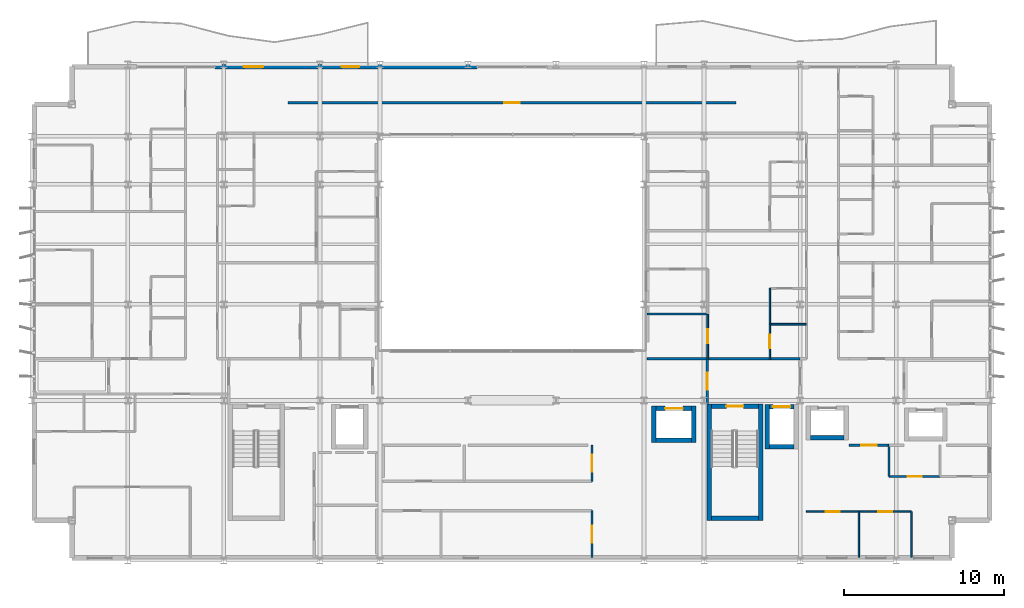
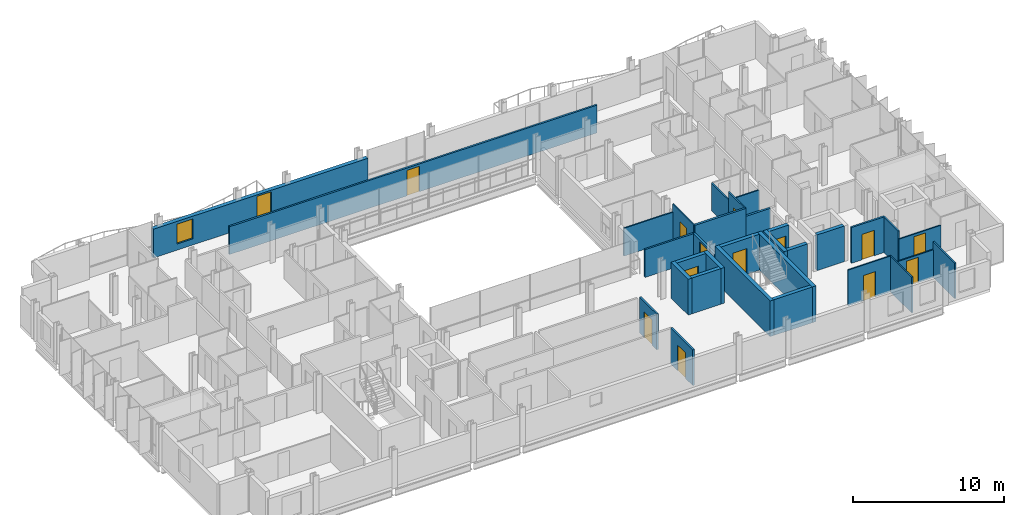
# One storey, part 30 of 38: 32 walls, 14 doors, 1 window, 15 openings.
"""IFC4 building model written with IfcOpenShell, lengths in metres."""

from ifc_helpers import new_model, si_unit, direction, frame, frame_2d, origin, place, context, subcontext, project, spatial, rectangle, extrude, material, layer, layer_set, type_object, element, fill, save


model = new_model("IFC4")

# Units and contexts
model_context = context("Model", 3, precision=1e-05, world=origin(), true_north=direction((0.0, 1.0)))
body_context = subcontext(model_context, "Body", "Model", "MODEL_VIEW")
ifc_project = project(units=[si_unit("LENGTHUNIT", "METRE"), si_unit("AREAUNIT", "SQUARE_METRE"), si_unit("VOLUMEUNIT", "CUBIC_METRE"), si_unit("PLANEANGLEUNIT", "RADIAN"), si_unit("MASSUNIT", "GRAM", prefix="KILO")], contexts=[model_context])

# Site, building, storey
site_placement = place(None, origin())
site = spatial("IfcSite", under=ifc_project, at=site_placement, CompositionType="ELEMENT")
building_placement = place(site_placement, origin())
building = spatial("IfcBuilding", under=site, at=building_placement, Name="Brevholm Reach", CompositionType="ELEMENT")
storey_placement = place(building_placement, frame((0.0, 0.0, 122.10009765625)))
storey = spatial("IfcBuildingStorey", under=building, at=storey_placement, Name="L36", CompositionType="ELEMENT", Elevation=122.10009765625)

# Walls
ifc_material_1 = material(Name="Concrete C50/60", Category="concrete")
ifc_layer_1 = layer(ifc_material_1, 0.280029296875)
ifc_layer_set_1 = layer_set([ifc_layer_1], Name="Concrete C50/60")
wall_type_1 = type_object("IfcWallType", Name="WAL-COR-280", PredefinedType="SHEAR", material=ifc_layer_set_1)
for number, where, z_axis, x_axis, name in (
    (1, (42.31005859375, 2.5, 0.0), (0.0, 0.0, 1.0), (0.0, 1.0, 0.0), "L36 Escape Stair ST-2 Core Wall W"),
    (2, (45.5400390625, 2.5, 0.0), (0.0, 0.0, 1.0), (0.0, 1.0, 0.0), "L36 Escape Stair ST-2 Core Wall E"),
):
    element("IfcWall", number, at=place(storey_placement, frame(where, z_axis=z_axis, x_axis=x_axis)), inside=storey, type_object=wall_type_1, Name=name, PredefinedType="SHEAR", context=body_context, shape_type="SweptSolid", body=[
        extrude(rectangle(XDim=7.280029296875, YDim=0.280029296875, at=frame_2d((3.64013671875, 0.0))), origin(), (0.0, 0.0, 1.0), 2.8798828125),
    ])
wall_1_placement = place(storey_placement, frame((42.449951171875, 2.639892578125, 0.0), z_axis=(0.0, 0.0, 1.0), x_axis=(1.0, 0.0, 0.0)))
element("IfcWall", 3, at=wall_1_placement, inside=storey, type_object=wall_type_1, Name="L36 Escape Stair ST-2 Core Wall S", PredefinedType="SHEAR", context=body_context, shape_type="SweptSolid", body=[
    extrude(rectangle(XDim=2.949951171875, YDim=0.280029296875, at=frame_2d((1.47509765625, 0.0))), origin(), (0.0, 0.0, 1.0), 2.8798828125),
])

# Wall, opening, door
wall_2_placement = place(storey_placement, frame((45.39990234375, 9.639892578125, 0.0), z_axis=(0.0, 0.0, 1.0), x_axis=(-1.0, 0.0, 0.0)))
wall_2 = element("IfcWall", 4, at=wall_2_placement, inside=storey, type_object=wall_type_1, Name="L36 Escape Stair ST-2 Core Wall N", PredefinedType="SHEAR", context=body_context, shape_type="SweptSolid", body=[
    extrude(rectangle(XDim=2.949951171875, YDim=0.280029296875, at=frame_2d((1.47509765625, 0.0))), origin(), (0.0, 0.0, 1.0), 2.8798828125),
])
opening_1_placement = place(wall_2_placement, frame((0.949951171875, 0.0, 0.0)))
opening_1 = element("IfcOpeningElement", 5, at=opening_1_placement, cuts=wall_2, Name="Opening SD-ST-2", PredefinedType="OPENING", context=body_context, shape_type="SweptSolid", body=[
    extrude(rectangle(XDim=1.050048828125, YDim=2.06005859375, at=frame_2d((0.52490234375, 1.030029296875))), frame((0.0, 0.14990234375, 0.0), z_axis=(0.0, -1.0, 0.0), x_axis=(1.0, 0.0, 0.0)), (0.0, 0.0, 1.0), 0.300048828125),
])
ifc_material_2 = material(Name="Hardwood-Lipped Steel-Core Fire and Smoke Door", Category="steel")
door_type_1 = type_object("IfcDoorType", Name="DOR-INT-FD60S", OperationType="NOTDEFINED", PredefinedType="DOOR", material=ifc_material_2)
door_1_placement = place(opening_1_placement, origin())
door_1 = element("IfcDoor", 6, at=door_1_placement, inside=storey, type_object=door_type_1, Name="L36 Protected Stair ST-2 Lobby Door", OperationType="SINGLE_SWING_LEFT", OverallHeight=2.06005859375, OverallWidth=1.050048828125, PredefinedType="DOOR", context=body_context, shape_type="SweptSolid", body=[
    extrude(rectangle(XDim=1.050048828125, YDim=2.06005859375, at=frame_2d((0.52490234375, 1.030029296875))), frame((0.0, 0.02490234375, 0.0), z_axis=(0.0, -1.0, 0.0), x_axis=(1.0, 0.0, 0.0)), (0.0, 0.0, 1.0), 0.050048828125),
])
fill(opening_1, door_1)

# Walls
wall_3_placement = place(storey_placement, frame((45.949951171875, 6.9599609375, 0.0), z_axis=(0.0, 0.0, 1.0), x_axis=(0.0, 1.0, 0.0)))
element("IfcWall", 7, at=wall_3_placement, inside=storey, type_object=wall_type_1, Name="L36 Lift FFL-2 Shaft Wall W", PredefinedType="SHEAR", context=body_context, shape_type="SweptSolid", body=[
    extrude(rectangle(XDim=2.780029296875, YDim=0.280029296875, at=frame_2d((1.39013671875, 0.0))), origin(), (0.0, 0.0, 1.0), 2.8798828125),
])
wall_4_placement = place(storey_placement, frame((46.090087890625, 7.10009765625, 0.0), z_axis=(0.0, 0.0, 1.0), x_axis=(1.0, 0.0, 0.0)))
element("IfcWall", 8, at=wall_4_placement, inside=storey, type_object=wall_type_1, Name="L36 Lift FFL-2 Shaft Wall S", PredefinedType="SHEAR", context=body_context, shape_type="SweptSolid", body=[
    extrude(rectangle(XDim=1.52001953125, YDim=0.280029296875, at=frame_2d((0.760009765625, 0.0))), origin(), (0.0, 0.0, 1.0), 2.8798828125),
])

# Wall, opening, door
wall_5_placement = place(storey_placement, frame((46.090087890625, 9.60009765625, 0.0), z_axis=(0.0, 0.0, 1.0), x_axis=(1.0, 0.0, 0.0)))
wall_5 = element("IfcWall", 9, at=wall_5_placement, inside=storey, type_object=wall_type_1, Name="L36 Lift FFL-2 Shaft Wall N", PredefinedType="SHEAR", context=body_context, shape_type="SweptSolid", body=[
    extrude(rectangle(XDim=1.52001953125, YDim=0.280029296875, at=frame_2d((0.760009765625, 0.0))), origin(), (0.0, 0.0, 1.0), 2.8798828125),
])
opening_2_placement = place(wall_5_placement, frame((0.2099609375, 0.0, 0.0)))
opening_2 = element("IfcOpeningElement", 10, at=opening_2_placement, cuts=wall_5, Name="Opening LD-FFL-2", PredefinedType="OPENING", context=body_context, shape_type="SweptSolid", body=[
    extrude(rectangle(XDim=1.10009765625, YDim=2.06005859375, at=frame_2d((0.550048828125, 1.030029296875))), frame((0.0, 0.14990234375, 0.0), z_axis=(0.0, -1.0, 0.0), x_axis=(1.0, 0.0, 0.0)), (0.0, 0.0, 1.0), 0.300048828125),
])
ifc_material_3 = material(Name="Brushed Stainless Steel Fire-Rated Sliding Lift Door", Category="steel")
door_type_2 = type_object("IfcDoorType", Name="DOR-LFT-1100", OperationType="NOTDEFINED", PredefinedType="DOOR", material=ifc_material_3)
door_2_placement = place(opening_2_placement, origin())
door_2 = element("IfcDoor", 11, at=door_2_placement, inside=storey, type_object=door_type_2, Name="L36 Lift FFL-2 Sliding Landing Door", OperationType="SLIDING_TO_LEFT", OverallHeight=2.06005859375, OverallWidth=1.10009765625, PredefinedType="DOOR", context=body_context, shape_type="SweptSolid", body=[
    extrude(rectangle(XDim=1.10009765625, YDim=2.06005859375, at=frame_2d((0.550048828125, 1.030029296875))), frame((0.0, 0.02490234375, 0.0), z_axis=(0.0, -1.0, 0.0), x_axis=(1.0, 0.0, 0.0)), (0.0, 0.0, 1.0), 0.050048828125),
])
fill(opening_2, door_2)

# Walls
wall_6_placement = place(storey_placement, frame((48.6650390625, 7.675048828125, 0.0), z_axis=(0.0, 0.0, 1.0), x_axis=(1.0, 0.0, 0.0)))
element("IfcWall", 12, at=wall_6_placement, inside=storey, type_object=wall_type_1, Name="L36 Lift PL-L1 Shaft Wall S", PredefinedType="SHEAR", context=body_context, shape_type="SweptSolid", body=[
    extrude(rectangle(XDim=2.070068359375, YDim=0.280029296875, at=frame_2d((1.03515625, 0.0))), origin(), (0.0, 0.0, 1.0), 2.8798828125),
])
for number, where, z_axis, x_axis, name in (
    (13, (38.8701171875, 7.360107421875, 0.0), (0.0, 0.0, 1.0), (0.0, 1.0, 0.0), "L36 Lift PL-S1 Shaft Wall W"),
    (14, (41.3701171875, 7.360107421875, 0.0), (0.0, 0.0, 1.0), (0.0, 1.0, 0.0), "L36 Lift PL-S1 Shaft Wall E"),
):
    element("IfcWall", number, at=place(storey_placement, frame(where, z_axis=z_axis, x_axis=x_axis)), inside=storey, type_object=wall_type_1, Name=name, PredefinedType="SHEAR", context=body_context, shape_type="SweptSolid", body=[
        extrude(rectangle(XDim=2.27978515625, YDim=0.280029296875, at=frame_2d((1.139892578125, 0.0))), origin(), (0.0, 0.0, 1.0), 2.8798828125),
    ])
wall_7_placement = place(storey_placement, frame((39.010009765625, 7.5, 0.0), z_axis=(0.0, 0.0, 1.0), x_axis=(1.0, 0.0, 0.0)))
element("IfcWall", 15, at=wall_7_placement, inside=storey, type_object=wall_type_1, Name="L36 Lift PL-S1 Shaft Wall S", PredefinedType="SHEAR", context=body_context, shape_type="SweptSolid", body=[
    extrude(rectangle(XDim=2.219970703125, YDim=0.280029296875, at=frame_2d((1.10986328125, 0.0))), origin(), (0.0, 0.0, 1.0), 2.8798828125),
])

# Wall, opening, door
wall_8_placement = place(storey_placement, frame((39.010009765625, 9.5, 0.0), z_axis=(0.0, 0.0, 1.0), x_axis=(1.0, 0.0, 0.0)))
wall_8 = element("IfcWall", 16, at=wall_8_placement, inside=storey, type_object=wall_type_1, Name="L36 Lift PL-S1 Shaft Wall N", PredefinedType="SHEAR", context=body_context, shape_type="SweptSolid", body=[
    extrude(rectangle(XDim=2.219970703125, YDim=0.280029296875, at=frame_2d((1.10986328125, 0.0))), origin(), (0.0, 0.0, 1.0), 2.8798828125),
])
opening_3_placement = place(wall_8_placement, frame((0.56005859375, 0.0, 0.0)))
opening_3 = element("IfcOpeningElement", 17, at=opening_3_placement, cuts=wall_8, Name="Opening LD-PL-S1", PredefinedType="OPENING", context=body_context, shape_type="SweptSolid", body=[
    extrude(rectangle(XDim=1.10009765625, YDim=2.06005859375, at=frame_2d((0.550048828125, 1.030029296875))), frame((0.0, 0.14990234375, 0.0), z_axis=(0.0, -1.0, 0.0), x_axis=(1.0, 0.0, 0.0)), (0.0, 0.0, 1.0), 0.300048828125),
])
door_3_placement = place(opening_3_placement, origin())
door_3 = element("IfcDoor", 18, at=door_3_placement, inside=storey, type_object=door_type_2, Name="L36 Lift PL-S1 Sliding Landing Door", OperationType="SLIDING_TO_RIGHT", OverallHeight=2.06005859375, OverallWidth=1.10009765625, PredefinedType="DOOR", context=body_context, shape_type="SweptSolid", body=[
    extrude(rectangle(XDim=1.10009765625, YDim=2.06005859375, at=frame_2d((0.550048828125, 1.030029296875))), frame((0.0, 0.02490234375, 0.0), z_axis=(0.0, -1.0, 0.0), x_axis=(1.0, 0.0, 0.0)), (0.0, 0.0, 1.0), 0.050048828125),
])
fill(opening_3, door_3)

# Wall, openings, door, window
ifc_material_4 = material(Name="Concrete C40/50", Category="concrete")
ifc_layer_2 = layer(ifc_material_4, 0.300048828125)
ifc_layer_set_2 = layer_set([ifc_layer_2], Name="Concrete C40/50")
wall_type_2 = type_object("IfcWallType", Name="WAL-EXT-300", PredefinedType="STANDARD", material=ifc_layer_set_2)
wall_9_placement = place(storey_placement, frame((11.449951171875, 30.85009765625, 0.0), z_axis=(0.0, 0.0, 1.0), x_axis=(1.0, 0.0, 0.0)))
wall_9 = element("IfcWall", 19, at=wall_9_placement, inside=storey, type_object=wall_type_2, Name="L36 Facade Wall WAL-L36-NP-WL", PredefinedType="STANDARD", context=body_context, shape_type="SweptSolid", body=[
    extrude(rectangle(XDim=16.35009765625, YDim=0.300048828125, at=frame_2d((8.175048828125, 0.0))), origin(), (0.0, 0.0, 1.0), 2.32177734375),
])
opening_4_placement = place(wall_9_placement, frame((7.89794921875, 0.0, 0.0)))
opening_4 = element("IfcOpeningElement", 20, at=opening_4_placement, cuts=wall_9, Name="Opening BD-01", PredefinedType="OPENING", context=body_context, shape_type="SweptSolid", body=[
    extrude(rectangle(XDim=1.10009765625, YDim=2.199951171875, at=frame_2d((0.550048828125, 1.10009765625))), frame((0.0, 0.159912109375, 0.0), z_axis=(0.0, -1.0, 0.0), x_axis=(1.0, 0.0, 0.0)), (0.0, 0.0, 1.0), 0.320068359375),
])
opening_5_placement = place(wall_9_placement, frame((1.800048828125, 0.0, 0.501953125)))
opening_5 = element("IfcOpeningElement", 21, at=opening_5_placement, cuts=wall_9, Name="Opening WN-08", PredefinedType="OPENING", context=body_context, shape_type="SweptSolid", body=[
    extrude(rectangle(XDim=1.199951171875, YDim=1.60009765625, at=frame_2d((0.60009765625, 0.800048828125))), frame((0.0, 0.159912109375, 0.0), z_axis=(0.0, -1.0, 0.0), x_axis=(1.0, 0.0, 0.0)), (0.0, 0.0, 1.0), 0.320068359375),
])
ifc_material_5 = material(Name="Dark Anodised Aluminium and Triple-Glazed Glass", Category="aluminium")
door_type_3 = type_object("IfcDoorType", Name="DOR-BALC-1100", OperationType="NOTDEFINED", PredefinedType="DOOR", material=ifc_material_5)
door_4_placement = place(opening_4_placement, origin())
door_4 = element("IfcDoor", 22, at=door_4_placement, inside=storey, type_object=door_type_3, Name="L36 Exterior Door DOR-L36-BL-NW", OperationType="SINGLE_SWING_LEFT", OverallHeight=2.199951171875, OverallWidth=1.10009765625, PredefinedType="DOOR", context=body_context, shape_type="SweptSolid", body=[
    extrude(rectangle(XDim=1.10009765625, YDim=2.199951171875, at=frame_2d((0.550048828125, 1.10009765625))), frame((0.0, 0.02490234375, 0.0), z_axis=(0.0, -1.0, 0.0), x_axis=(1.0, 0.0, 0.0)), (0.0, 0.0, 1.0), 0.050048828125),
])
fill(opening_4, door_4)
ifc_material_6 = material(Name="Dark Anodised Aluminium and Solar-Control IGU Glass", Category="aluminium")
window_type = type_object("IfcWindowType", Name="WIN-RES-1200", PartitioningType="SINGLE_PANEL", PredefinedType="WINDOW", material=ifc_material_6)
window_placement = place(opening_5_placement, origin())
window = element("IfcWindow", 23, at=window_placement, inside=storey, type_object=window_type, Name="L36 Window WIN-L36-NP-WL1", OverallHeight=1.60009765625, OverallWidth=1.199951171875, PartitioningType="SINGLE_PANEL", PredefinedType="WINDOW", context=body_context, shape_type="SweptSolid", body=[
    extrude(rectangle(XDim=1.199951171875, YDim=1.60009765625, at=frame_2d((0.60009765625, 0.800048828125))), frame((0.0, 0.030029296875, 0.0), z_axis=(0.0, -1.0, 0.0), x_axis=(1.0, 0.0, 0.0)), (0.0, 0.0, 1.0), 0.06005859375),
])
fill(opening_5, window)

# Wall, opening, door
ifc_material_7 = material(Name="Moisture-Resistant Acoustic Gypsum Stud Partition 100 mm", Category="gypsum")
ifc_layer_3 = layer(ifc_material_7, 0.10009765625)
ifc_layer_set_3 = layer_set([ifc_layer_3], Name="Moisture-Resistant Acoustic Gypsum Stud Partition 100 mm")
wall_type_3 = type_object("IfcWallType", Name="WAL-PRT-100", PredefinedType="PARTITIONING", material=ifc_layer_set_3)
wall_10_placement = place(storey_placement, frame((53.55810546875, 5.25, 0.0), z_axis=(0.0, 0.0, 1.0), x_axis=(1.0, 0.0, 0.0)))
wall_10 = element("IfcWall", 24, at=wall_10_placement, inside=storey, type_object=wall_type_3, Name="L36 Internal Partition 082", PredefinedType="PARTITIONING", context=body_context, shape_type="SweptSolid", body=[
    extrude(rectangle(XDim=3.18798828125, YDim=0.10009765625, at=frame_2d((1.593994140625, 0.0))), origin(), (0.0, 0.0, 1.0), 2.24267578125),
])
opening_6_placement = place(wall_10_placement, frame((1.154052734375, 0.0, 0.0)))
opening_6 = element("IfcOpeningElement", 25, at=opening_6_placement, cuts=wall_10, Name="Opening ID-01", PredefinedType="OPENING", context=body_context, shape_type="SweptSolid", body=[
    extrude(rectangle(XDim=0.8798828125, YDim=2.0400390625, at=frame_2d((0.43994140625, 1.02001953125))), frame((0.0, 0.06005859375, 0.0), z_axis=(0.0, -1.0, 0.0), x_axis=(1.0, 0.0, 0.0)), (0.0, 0.0, 1.0), 0.1201171875),
])
ifc_material_8 = material(Name="Lacquered Ash Solid-Core Acoustic Internal Door", Category="timber")
door_type_4 = type_object("IfcDoorType", Name="DOR-INT-880", OperationType="NOTDEFINED", PredefinedType="DOOR", material=ifc_material_8)
door_5_placement = place(opening_6_placement, origin())
door_5 = element("IfcDoor", 26, at=door_5_placement, inside=storey, type_object=door_type_4, Name="L36 Internal Door 030", OperationType="SINGLE_SWING_RIGHT", OverallHeight=2.0400390625, OverallWidth=0.8798828125, PredefinedType="DOOR", context=body_context, shape_type="SweptSolid", body=[
    extrude(rectangle(XDim=0.8798828125, YDim=2.0400390625, at=frame_2d((0.43994140625, 1.02001953125))), frame((0.0, 0.02490234375, 0.0), z_axis=(0.0, -1.0, 0.0), x_axis=(1.0, 0.0, 0.0)), (0.0, 0.0, 1.0), 0.050048828125),
])
fill(opening_6, door_5)

# Walls
wall_11_placement = place(storey_placement, frame((53.55810546875, 5.25, 0.0), z_axis=(0.0, 0.0, 1.0), x_axis=(0.0, 1.0, 0.0)))
element("IfcWall", 27, at=wall_11_placement, inside=storey, type_object=wall_type_3, Name="L36 Internal Partition 083", PredefinedType="PARTITIONING", context=body_context, shape_type="SweptSolid", body=[
    extrude(rectangle(XDim=1.946044921875, YDim=0.10009765625, at=frame_2d((0.97314453125, 0.0))), origin(), (0.0, 0.0, 1.0), 2.8798828125),
])
wall_12_placement = place(storey_placement, frame((51.675048828125, 0.199951171875, 0.0), z_axis=(0.0, 0.0, 1.0), x_axis=(0.0, 1.0, 0.0)))
element("IfcWall", 28, at=wall_12_placement, inside=storey, type_object=wall_type_3, Name="L36 Internal Partition 084", PredefinedType="PARTITIONING", context=body_context, shape_type="SweptSolid", body=[
    extrude(rectangle(XDim=2.85009765625, YDim=0.10009765625, at=frame_2d((1.425048828125, 0.0))), origin(), (0.0, 0.0, 1.0), 2.8798828125),
])

# Wall, opening, door
wall_13_placement = place(storey_placement, frame((48.39990234375, 3.050048828125, 0.0), z_axis=(0.0, 0.0, 1.0), x_axis=(1.0, 0.0, 0.0)))
wall_13 = element("IfcWall", 29, at=wall_13_placement, inside=storey, type_object=wall_type_3, Name="L36 Internal Partition 085", PredefinedType="PARTITIONING", context=body_context, shape_type="SweptSolid", body=[
    extrude(rectangle(XDim=3.275146484375, YDim=0.10009765625, at=frame_2d((1.6376953125, 0.0))), origin(), (0.0, 0.0, 1.0), 2.8798828125),
])
opening_7_placement = place(wall_13_placement, frame((1.197509765625, 0.0, 0.0)))
opening_7 = element("IfcOpeningElement", 30, at=opening_7_placement, cuts=wall_13, Name="Opening ID-01", PredefinedType="OPENING", context=body_context, shape_type="SweptSolid", body=[
    extrude(rectangle(XDim=0.8798828125, YDim=2.0400390625, at=frame_2d((0.43994140625, 1.02001953125))), frame((0.0, 0.06005859375, 0.0), z_axis=(0.0, -1.0, 0.0), x_axis=(1.0, 0.0, 0.0)), (0.0, 0.0, 1.0), 0.1201171875),
])
door_6_placement = place(opening_7_placement, origin())
door_6 = element("IfcDoor", 31, at=door_6_placement, inside=storey, type_object=door_type_4, Name="L36 Internal Door 031", OperationType="SINGLE_SWING_LEFT", OverallHeight=2.0400390625, OverallWidth=0.8798828125, PredefinedType="DOOR", context=body_context, shape_type="SweptSolid", body=[
    extrude(rectangle(XDim=0.8798828125, YDim=2.0400390625, at=frame_2d((0.43994140625, 1.02001953125))), frame((0.0, 0.02490234375, 0.0), z_axis=(0.0, -1.0, 0.0), x_axis=(1.0, 0.0, 0.0)), (0.0, 0.0, 1.0), 0.050048828125),
])
fill(opening_7, door_6)

# Wall
wall_14_placement = place(storey_placement, frame((54.949951171875, 0.199951171875, 0.0), z_axis=(0.0, 0.0, 1.0), x_axis=(0.0, 1.0, 0.0)))
element("IfcWall", 32, at=wall_14_placement, inside=storey, type_object=wall_type_3, Name="L36 Internal Partition 086", PredefinedType="PARTITIONING", context=body_context, shape_type="SweptSolid", body=[
    extrude(rectangle(XDim=2.85009765625, YDim=0.10009765625, at=frame_2d((1.425048828125, 0.0))), origin(), (0.0, 0.0, 1.0), 2.8798828125),
])

# Wall, opening, door
wall_15_placement = place(storey_placement, frame((51.678955078125, 3.050048828125, 0.0), z_axis=(0.0, 0.0, 1.0), x_axis=(1.0, 0.0, 0.0)))
wall_15 = element("IfcWall", 33, at=wall_15_placement, inside=storey, type_object=wall_type_3, Name="L36 Internal Partition 087", PredefinedType="PARTITIONING", context=body_context, shape_type="SweptSolid", body=[
    extrude(rectangle(XDim=3.27099609375, YDim=0.10009765625, at=frame_2d((1.635498046875, 0.0))), origin(), (0.0, 0.0, 1.0), 2.24267578125),
])
opening_8_placement = place(wall_15_placement, frame((1.195556640625, 0.0, 0.0)))
opening_8 = element("IfcOpeningElement", 34, at=opening_8_placement, cuts=wall_15, Name="Opening ID-01", PredefinedType="OPENING", context=body_context, shape_type="SweptSolid", body=[
    extrude(rectangle(XDim=0.8798828125, YDim=2.0400390625, at=frame_2d((0.43994140625, 1.02001953125))), frame((0.0, 0.06005859375, 0.0), z_axis=(0.0, -1.0, 0.0), x_axis=(1.0, 0.0, 0.0)), (0.0, 0.0, 1.0), 0.1201171875),
])
door_7_placement = place(opening_8_placement, origin())
door_7 = element("IfcDoor", 35, at=door_7_placement, inside=storey, type_object=door_type_4, Name="L36 Internal Door 032", OperationType="SINGLE_SWING_RIGHT", OverallHeight=2.0400390625, OverallWidth=0.8798828125, PredefinedType="DOOR", context=body_context, shape_type="SweptSolid", body=[
    extrude(rectangle(XDim=0.8798828125, YDim=2.0400390625, at=frame_2d((0.43994140625, 1.02001953125))), frame((0.0, 0.02490234375, 0.0), z_axis=(0.0, -1.0, 0.0), x_axis=(1.0, 0.0, 0.0)), (0.0, 0.0, 1.0), 0.050048828125),
])
fill(opening_8, door_7)

# Wall
wall_16_placement = place(storey_placement, frame((46.112060546875, 14.760009765625, 0.0), z_axis=(0.0, 0.0, 1.0), x_axis=(1.0, 0.0, 0.0)))
element("IfcWall", 36, at=wall_16_placement, inside=storey, type_object=wall_type_3, Name="L36 Internal Partition 120", PredefinedType="PARTITIONING", context=body_context, shape_type="SweptSolid", body=[
    extrude(rectangle(XDim=2.283935546875, YDim=0.10009765625, at=frame_2d((1.14208984375, 0.0))), origin(), (0.0, 0.0, 1.0), 2.24267578125),
])

# Wall, opening, door
wall_17_placement = place(storey_placement, frame((46.112060546875, 12.60400390625, 0.0), z_axis=(0.0, 0.0, 1.0), x_axis=(0.0, 1.0, 0.0)))
wall_17 = element("IfcWall", 37, at=wall_17_placement, inside=storey, type_object=wall_type_3, Name="L36 Internal Partition 121", PredefinedType="PARTITIONING", context=body_context, shape_type="SweptSolid", body=[
    extrude(rectangle(XDim=2.156005859375, YDim=0.10009765625, at=frame_2d((1.078125, 0.0))), origin(), (0.0, 0.0, 1.0), 2.8798828125),
])
opening_9_placement = place(wall_17_placement, frame((0.66796875, 0.0, 0.0)))
opening_9 = element("IfcOpeningElement", 38, at=opening_9_placement, cuts=wall_17, Name="Opening ID-03", PredefinedType="OPENING", context=body_context, shape_type="SweptSolid", body=[
    extrude(rectangle(XDim=0.820068359375, YDim=2.02001953125, at=frame_2d((0.41015625, 1.010009765625))), frame((0.0, 0.06005859375, 0.0), z_axis=(0.0, -1.0, 0.0), x_axis=(1.0, 0.0, 0.0)), (0.0, 0.0, 1.0), 0.1201171875),
])
ifc_material_9 = material(Name="Moisture-Resistant Painted Timber Internal Bathroom Door", Category="wood")
door_type_5 = type_object("IfcDoorType", Name="DOR-BATH-820", OperationType="NOTDEFINED", PredefinedType="DOOR", material=ifc_material_9)
door_8_placement = place(opening_9_placement, origin())
door_8 = element("IfcDoor", 39, at=door_8_placement, inside=storey, type_object=door_type_5, Name="L36 Internal Door 046", OperationType="SINGLE_SWING_RIGHT", OverallHeight=2.02001953125, OverallWidth=0.820068359375, PredefinedType="DOOR", context=body_context, shape_type="SweptSolid", body=[
    extrude(rectangle(XDim=0.820068359375, YDim=2.02001953125, at=frame_2d((0.41015625, 1.010009765625))), frame((0.0, 0.02490234375, 0.0), z_axis=(0.0, -1.0, 0.0), x_axis=(1.0, 0.0, 0.0)), (0.0, 0.0, 1.0), 0.050048828125),
])
fill(opening_9, door_8)

# Walls
wall_18_placement = place(storey_placement, frame((46.112060546875, 14.763916015625, 0.0), z_axis=(0.0, 0.0, 1.0), x_axis=(0.0, 1.0, 0.0)))
element("IfcWall", 40, at=wall_18_placement, inside=storey, type_object=wall_type_3, Name="L36 Internal Partition 123", PredefinedType="PARTITIONING", context=body_context, shape_type="SweptSolid", body=[
    extrude(rectangle(XDim=2.236083984375, YDim=0.10009765625, at=frame_2d((1.1181640625, 0.0))), origin(), (0.0, 0.0, 1.0), 2.24267578125),
])
wall_19_placement = place(storey_placement, frame((38.449951171875, 15.39990234375, 0.0), z_axis=(0.0, 0.0, 1.0), x_axis=(1.0, 0.0, 0.0)))
element("IfcWall", 41, at=wall_19_placement, inside=storey, type_object=wall_type_3, Name="L36 Internal Partition 124", PredefinedType="PARTITIONING", context=body_context, shape_type="SweptSolid", body=[
    extrude(rectangle(XDim=3.781005859375, YDim=0.10009765625, at=frame_2d((1.890625, 0.0))), origin(), (0.0, 0.0, 1.0), 2.24267578125),
])

# Wall, opening, door
wall_20_placement = place(storey_placement, frame((42.23095703125, 12.60400390625, 0.0), z_axis=(0.0, 0.0, 1.0), x_axis=(0.0, 1.0, 0.0)))
wall_20 = element("IfcWall", 42, at=wall_20_placement, inside=storey, type_object=wall_type_3, Name="L36 Internal Partition 125", PredefinedType="PARTITIONING", context=body_context, shape_type="SweptSolid", body=[
    extrude(rectangle(XDim=2.7958984375, YDim=0.10009765625, at=frame_2d((1.39794921875, 0.0))), origin(), (0.0, 0.0, 1.0), 2.8798828125),
])
opening_10_placement = place(wall_20_placement, frame((0.9580078125, 0.0, 0.0)))
opening_10 = element("IfcOpeningElement", 43, at=opening_10_placement, cuts=wall_20, Name="Opening ID-01", PredefinedType="OPENING", context=body_context, shape_type="SweptSolid", body=[
    extrude(rectangle(XDim=0.8798828125, YDim=2.0400390625, at=frame_2d((0.43994140625, 1.02001953125))), frame((0.0, 0.06005859375, 0.0), z_axis=(0.0, -1.0, 0.0), x_axis=(1.0, 0.0, 0.0)), (0.0, 0.0, 1.0), 0.1201171875),
])
door_9_placement = place(opening_10_placement, origin())
door_9 = element("IfcDoor", 44, at=door_9_placement, inside=storey, type_object=door_type_4, Name="L36 Internal Door 048", OperationType="SINGLE_SWING_RIGHT", OverallHeight=2.0400390625, OverallWidth=0.8798828125, PredefinedType="DOOR", context=body_context, shape_type="SweptSolid", body=[
    extrude(rectangle(XDim=0.8798828125, YDim=2.0400390625, at=frame_2d((0.43994140625, 1.02001953125))), frame((0.0, 0.02490234375, 0.0), z_axis=(0.0, -1.0, 0.0), x_axis=(1.0, 0.0, 0.0)), (0.0, 0.0, 1.0), 0.050048828125),
])
fill(opening_10, door_9)

ifc_material_10 = material(Name="Twin-Stud Acoustic Fire-Rated Gypsum Partition 140 mm", Category="gypsum")
ifc_layer_4 = layer(ifc_material_10, 0.139892578125)
ifc_layer_set_4 = layer_set([ifc_layer_4], Name="Twin-Stud Acoustic Fire-Rated Gypsum Partition 140 mm")
wall_type_4 = type_object("IfcWallType", Name="WAL-PRT-140", PredefinedType="PARTITIONING", material=ifc_layer_set_4)
wall_21_placement = place(storey_placement, frame((35.0, 0.179931640625, 0.0), z_axis=(0.0, 0.0, 1.0), x_axis=(0.0, 1.0, 0.0)))
wall_21 = element("IfcWall", 45, at=wall_21_placement, inside=storey, type_object=wall_type_4, Name="L36 Internal Partition 001", PredefinedType="PARTITIONING", context=body_context, shape_type="SweptSolid", body=[
    extrude(rectangle(XDim=2.927490234375, YDim=0.139892578125, at=frame_2d((1.4638671875, 0.0))), origin(), (0.0, 0.0, 1.0), 2.8798828125),
])
opening_11_placement = place(wall_21_placement, frame((0.938720703125, 0.0, 0.0)))
opening_11 = element("IfcOpeningElement", 46, at=opening_11_placement, cuts=wall_21, Name="Opening FD-01", PredefinedType="OPENING", context=body_context, shape_type="SweptSolid", body=[
    extrude(rectangle(XDim=1.050048828125, YDim=2.06005859375, at=frame_2d((0.52490234375, 1.030029296875))), frame((0.0, 0.079833984375, 0.0), z_axis=(0.0, -1.0, 0.0), x_axis=(1.0, 0.0, 0.0)), (0.0, 0.0, 1.0), 0.159912109375),
])
door_10_placement = place(opening_11_placement, origin())
door_10 = element("IfcDoor", 47, at=door_10_placement, inside=storey, type_object=door_type_1, Name="L36 Internal Door 001", OperationType="SINGLE_SWING_LEFT", OverallHeight=2.06005859375, OverallWidth=1.050048828125, PredefinedType="DOOR", context=body_context, shape_type="SweptSolid", body=[
    extrude(rectangle(XDim=1.050048828125, YDim=2.06005859375, at=frame_2d((0.52490234375, 1.030029296875))), frame((0.0, 0.02490234375, 0.0), z_axis=(0.0, -1.0, 0.0), x_axis=(1.0, 0.0, 0.0)), (0.0, 0.0, 1.0), 0.050048828125),
])
fill(opening_11, door_10)

wall_22_placement = place(storey_placement, frame((35.0, 4.942626953125, 0.0), z_axis=(0.0, 0.0, 1.0), x_axis=(0.0, 1.0, 0.0)))
wall_22 = element("IfcWall", 48, at=wall_22_placement, inside=storey, type_object=wall_type_4, Name="L36 Internal Partition 002", PredefinedType="PARTITIONING", context=body_context, shape_type="SweptSolid", body=[
    extrude(rectangle(XDim=2.2685546875, YDim=0.139892578125, at=frame_2d((1.13427734375, 0.0))), origin(), (0.0, 0.0, 1.0), 2.8798828125),
])
opening_12_placement = place(wall_22_placement, frame((0.609375, 0.0, 0.0)))
opening_12 = element("IfcOpeningElement", 49, at=opening_12_placement, cuts=wall_22, Name="Opening FD-01", PredefinedType="OPENING", context=body_context, shape_type="SweptSolid", body=[
    extrude(rectangle(XDim=1.050048828125, YDim=2.06005859375, at=frame_2d((0.52490234375, 1.030029296875))), frame((0.0, 0.079833984375, 0.0), z_axis=(0.0, -1.0, 0.0), x_axis=(1.0, 0.0, 0.0)), (0.0, 0.0, 1.0), 0.159912109375),
])
door_11_placement = place(opening_12_placement, origin())
door_11 = element("IfcDoor", 50, at=door_11_placement, inside=storey, type_object=door_type_1, Name="L36 Internal Door 002", OperationType="SINGLE_SWING_RIGHT", OverallHeight=2.06005859375, OverallWidth=1.050048828125, PredefinedType="DOOR", context=body_context, shape_type="SweptSolid", body=[
    extrude(rectangle(XDim=1.050048828125, YDim=2.06005859375, at=frame_2d((0.52490234375, 1.030029296875))), frame((0.0, 0.02490234375, 0.0), z_axis=(0.0, -1.0, 0.0), x_axis=(1.0, 0.0, 0.0)), (0.0, 0.0, 1.0), 0.050048828125),
])
fill(opening_12, door_11)

wall_23_placement = place(storey_placement, frame((51.050048828125, 7.199951171875, 0.0), z_axis=(0.0, 0.0, 1.0), x_axis=(1.0, 0.0, 0.0)))
wall_23 = element("IfcWall", 51, at=wall_23_placement, inside=storey, type_object=wall_type_4, Name="L36 Internal Partition 015", PredefinedType="PARTITIONING", context=body_context, shape_type="SweptSolid", body=[
    extrude(rectangle(XDim=2.51513671875, YDim=0.139892578125, at=frame_2d((1.257568359375, 0.0))), origin(), (0.0, 0.0, 1.0), 2.8798828125),
])
opening_13_placement = place(wall_23_placement, frame((0.78271484375, 0.0, 0.0)))
opening_13 = element("IfcOpeningElement", 52, at=opening_13_placement, cuts=wall_23, Name="Opening ID-30", PredefinedType="OPENING", context=body_context, shape_type="SweptSolid", body=[
    extrude(rectangle(XDim=0.949951171875, YDim=2.050048828125, at=frame_2d((0.47509765625, 1.02490234375))), frame((0.0, 0.079833984375, 0.0), z_axis=(0.0, -1.0, 0.0), x_axis=(1.0, 0.0, 0.0)), (0.0, 0.0, 1.0), 0.159912109375),
])
ifc_material_11 = material(Name="European Oak Veneered Solid-Core Fire Entrance Door", Category="timber")
door_type_6 = type_object("IfcDoorType", Name="DOR-FLT-FD30S", OperationType="NOTDEFINED", PredefinedType="DOOR", material=ifc_material_11)
door_12_placement = place(opening_13_placement, origin())
door_12 = element("IfcDoor", 53, at=door_12_placement, inside=storey, type_object=door_type_6, Name="L36 Internal Door 009", OperationType="SINGLE_SWING_LEFT", OverallHeight=2.050048828125, OverallWidth=0.949951171875, PredefinedType="DOOR", context=body_context, shape_type="SweptSolid", body=[
    extrude(rectangle(XDim=0.949951171875, YDim=2.050048828125, at=frame_2d((0.47509765625, 1.02490234375))), frame((0.0, 0.02490234375, 0.0), z_axis=(0.0, -1.0, 0.0), x_axis=(1.0, 0.0, 0.0)), (0.0, 0.0, 1.0), 0.050048828125),
])
fill(opening_13, door_12)

# Wall
wall_24_placement = place(storey_placement, frame((38.438720703125, 12.60009765625, 0.0), z_axis=(0.0, 0.0, 1.0), x_axis=(1.0, 0.0, 0.0)))
element("IfcWall", 54, at=wall_24_placement, inside=storey, type_object=wall_type_4, Name="L36 Internal Partition 033", PredefinedType="PARTITIONING", context=body_context, shape_type="SweptSolid", body=[
    extrude(rectangle(XDim=3.75732421875, YDim=0.139892578125, at=frame_2d((1.878662109375, 0.0))), origin(), (0.0, 0.0, 1.0), 2.24267578125),
])

# Wall, opening, door
wall_25_placement = place(storey_placement, frame((15.98876953125, 28.60009765625, 0.0), z_axis=(0.0, 0.0, 1.0), x_axis=(1.0, 0.0, 0.0)))
wall_25 = element("IfcWall", 55, at=wall_25_placement, inside=storey, type_object=wall_type_4, Name="L36 Internal Partition 064", PredefinedType="PARTITIONING", context=body_context, shape_type="SweptSolid", body=[
    extrude(rectangle(XDim=28.0224609375, YDim=0.139892578125, at=frame_2d((14.01123046875, 0.0))), origin(), (0.0, 0.0, 1.0), 2.24267578125),
])
opening_14_placement = place(wall_25_placement, frame((13.536376953125, 0.0, 0.0)))
opening_14 = element("IfcOpeningElement", 56, at=opening_14_placement, cuts=wall_25, Name="Opening ID-30", PredefinedType="OPENING", context=body_context, shape_type="SweptSolid", body=[
    extrude(rectangle(XDim=0.949951171875, YDim=2.050048828125, at=frame_2d((0.47509765625, 1.02490234375))), frame((0.0, 0.079833984375, 0.0), z_axis=(0.0, -1.0, 0.0), x_axis=(1.0, 0.0, 0.0)), (0.0, 0.0, 1.0), 0.159912109375),
])
door_13_placement = place(opening_14_placement, origin())
door_13 = element("IfcDoor", 57, at=door_13_placement, inside=storey, type_object=door_type_6, Name="L36 Internal Door 025", OperationType="SINGLE_SWING_LEFT", OverallHeight=2.050048828125, OverallWidth=0.949951171875, PredefinedType="DOOR", context=body_context, shape_type="SweptSolid", body=[
    extrude(rectangle(XDim=0.949951171875, YDim=2.050048828125, at=frame_2d((0.47509765625, 1.02490234375))), frame((0.0, 0.02490234375, 0.0), z_axis=(0.0, -1.0, 0.0), x_axis=(1.0, 0.0, 0.0)), (0.0, 0.0, 1.0), 0.050048828125),
])
fill(opening_14, door_13)

ifc_material_12 = material(Name="Twin-Frame Fire-Rated Gypsum Board and Mineral Wool 160 mm", Category="gypsum")
ifc_layer_5 = layer(ifc_material_12, 0.159912109375)
ifc_layer_set_5 = layer_set([ifc_layer_5], Name="Twin-Frame Fire-Rated Gypsum Board and Mineral Wool 160 mm")
wall_type_5 = type_object("IfcWallType", Name="WAL-PRT-160", PredefinedType="PARTITIONING", material=ifc_layer_set_5)
wall_26_placement = place(storey_placement, frame((42.199951171875, 9.7900390625, 0.0), z_axis=(0.0, 0.0, 1.0), x_axis=(0.0, 1.0, 0.0)))
wall_26 = element("IfcWall", 58, at=wall_26_placement, inside=storey, type_object=wall_type_5, Name="L36 Internal Partition 023", PredefinedType="PARTITIONING", context=body_context, shape_type="SweptSolid", body=[
    extrude(rectangle(XDim=2.81005859375, YDim=0.159912109375, at=frame_2d((1.405029296875, 0.0))), origin(), (0.0, 0.0, 1.0), 2.24267578125),
])
opening_15_placement = place(wall_26_placement, frame((0.8798828125, 0.0, 0.0)))
opening_15 = element("IfcOpeningElement", 59, at=opening_15_placement, cuts=wall_26, Name="Opening FD-01", PredefinedType="OPENING", context=body_context, shape_type="SweptSolid", body=[
    extrude(rectangle(XDim=1.050048828125, YDim=2.06005859375, at=frame_2d((0.52490234375, 1.030029296875))), frame((0.0, 0.08984375, 0.0), z_axis=(0.0, -1.0, 0.0), x_axis=(1.0, 0.0, 0.0)), (0.0, 0.0, 1.0), 0.179931640625),
])
door_14_placement = place(opening_15_placement, origin())
door_14 = element("IfcDoor", 60, at=door_14_placement, inside=storey, type_object=door_type_1, Name="L36 Internal Door 013", OperationType="SINGLE_SWING_LEFT", OverallHeight=2.06005859375, OverallWidth=1.050048828125, PredefinedType="DOOR", context=body_context, shape_type="SweptSolid", body=[
    extrude(rectangle(XDim=1.050048828125, YDim=2.06005859375, at=frame_2d((0.52490234375, 1.030029296875))), frame((0.0, 0.02490234375, 0.0), z_axis=(0.0, -1.0, 0.0), x_axis=(1.0, 0.0, 0.0)), (0.0, 0.0, 1.0), 0.050048828125),
])
fill(opening_15, door_14)

# Walls
wall_27_placement = place(storey_placement, frame((46.1005859375, 12.60009765625, 0.0), z_axis=(0.0, 0.0, 1.0), x_axis=(1.0, 0.0, 0.0)))
element("IfcWall", 61, at=wall_27_placement, inside=storey, type_object=wall_type_5, Name="L36 Internal Partition 025", PredefinedType="PARTITIONING", context=body_context, shape_type="SweptSolid", body=[
    extrude(rectangle(XDim=1.8994140625, YDim=0.159912109375, at=frame_2d((0.94970703125, 0.0))), origin(), (0.0, 0.0, 1.0), 2.24267578125),
])
wall_28_placement = place(storey_placement, frame((42.2236328125, 12.60009765625, 0.0), z_axis=(0.0, 0.0, 1.0), x_axis=(1.0, 0.0, 0.0)))
element("IfcWall", 62, at=wall_28_placement, inside=storey, type_object=wall_type_5, Name="L36 Internal Partition 026", PredefinedType="PARTITIONING", context=body_context, shape_type="SweptSolid", body=[
    extrude(rectangle(XDim=3.895751953125, YDim=0.159912109375, at=frame_2d((1.94775390625, 0.0))), origin(), (0.0, 0.0, 1.0), 2.8798828125),
])

save(model, "model.ifc")
